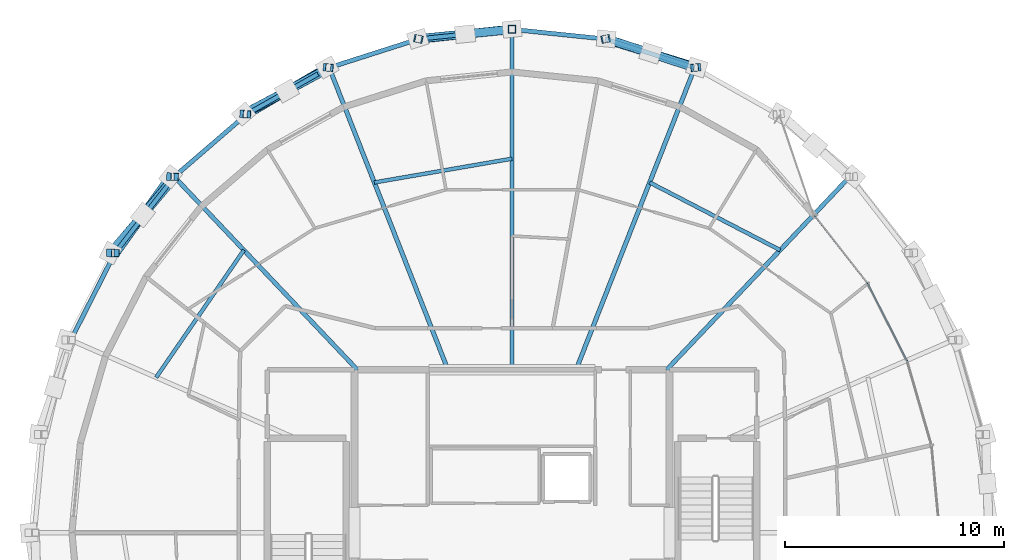
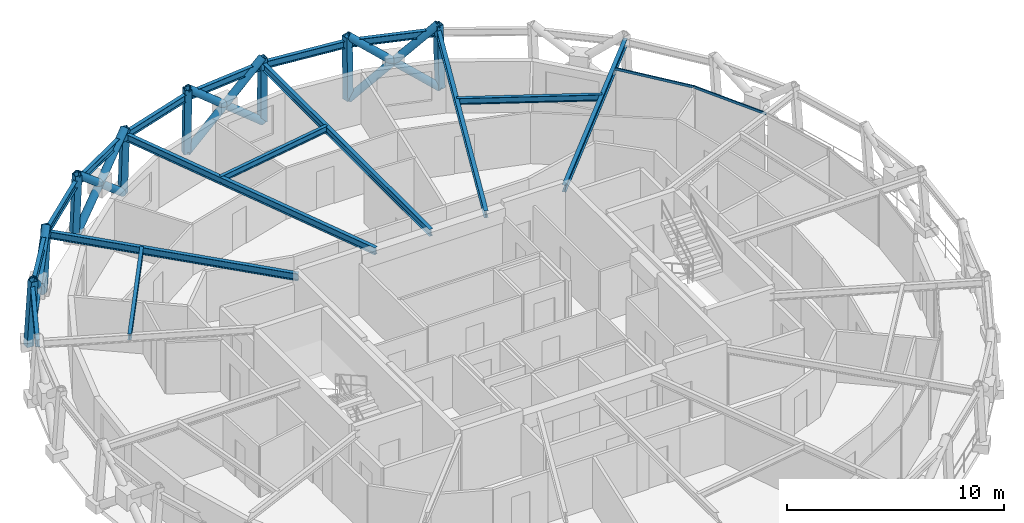
# One storey, part 7 of 15: 22 members, 16 beams, 1 element without a shape of its own.
"""IFC4 building model written with IfcOpenShell, lengths in metres."""

import ifcopenshell
import ifcopenshell.guid

model = None  # the IFC model being written
_history = None  # IfcOwnerHistory: only IFC2X3 demands one
_inside = {}  # id of a spatial element -> (the spatial element, [elements in it])
_under = {}  # id of a project, library or spatial element -> (it, [spatial elements below it])
_declared = {}  # id of a project -> (the project, [libraries it declares])
_typed = {}  # id of a type object -> (the type object, [elements of that type])
_made_of = {}  # id of a material, layer set ... -> (it, [elements and type objects made of it])


def new_model(schema):
    """Start an empty IFC model of exactly this schema.

    Asked for "IFC4X3", IfcOpenShell would pick the latest addendum, in which some entities
    have other attributes; the version numbers below select the first issue.
    IFC2X3 requires an IfcOwnerHistory on every rooted entity: one is made here for all.
    """
    global model, _history
    if schema == "IFC4X3":
        model = ifcopenshell.file(schema_version=(4, 3, 0, 0))
    else:
        model = ifcopenshell.file(schema=schema)
    _inside.clear()
    _under.clear()
    _declared.clear()
    _typed.clear()
    _made_of.clear()
    _history = None
    if model.schema == "IFC2X3":
        org = make("IfcOrganization", Name="unknown")
        user = make(
            "IfcPersonAndOrganization",
            ThePerson=make("IfcPerson", FamilyName="unknown"),
            TheOrganization=org,
        )
        app = make(
            "IfcApplication",
            ApplicationDeveloper=org,
            Version="unknown",
            ApplicationFullName="unknown",
            ApplicationIdentifier="unknown",
        )
        _history = make(
            "IfcOwnerHistory",
            OwningUser=user,
            OwningApplication=app,
            ChangeAction="ADDED",
            CreationDate=0,
        )
    return model


def make(cls, **values):
    """One entity of the class cls with the attributes given. An attribute that is None is left unset."""
    return model.create_entity(
        cls, **{name: value for name, value in values.items() if value is not None}
    )


def rooted(cls, **values):
    """An entity with a GlobalId (a new one), such as an element, a storey or a relation."""
    return make(cls, GlobalId=ifcopenshell.guid.new(), OwnerHistory=_history, **values)


def si_unit(unit_type, name, prefix=None):
    """IfcSIUnit, for example si_unit("LENGTHUNIT", "METRE", prefix="MILLI")."""
    return make("IfcSIUnit", UnitType=unit_type, Prefix=prefix, Name=name)


def assignment(units):
    """IfcUnitAssignment: the units of a project."""
    return None if units is None else make("IfcUnitAssignment", Units=units)


def point(xyz):
    """IfcCartesianPoint."""
    return None if xyz is None else make("IfcCartesianPoint", Coordinates=xyz)


def direction(xyz):
    """IfcDirection."""
    return None if xyz is None else make("IfcDirection", DirectionRatios=xyz)


def frame(location, z_axis=None, x_axis=None):
    """IfcAxis2Placement3D, a coordinate frame: its origin and axes. An axis left out is left unset."""
    return make(
        "IfcAxis2Placement3D",
        Location=point(location),
        Axis=direction(z_axis),
        RefDirection=direction(x_axis),
    )


def frame_2d(location, x_axis=None):
    """IfcAxis2Placement2D, a coordinate frame in the plane: its origin and x axis."""
    return make(
        "IfcAxis2Placement2D", Location=point(location), RefDirection=direction(x_axis)
    )


def origin():
    """The frame at (0, 0, 0) with its axes left unset."""
    return frame((0.0, 0.0, 0.0))


def origin_2d():
    """The frame at (0, 0) in the plane with its x axis left unset."""
    return frame_2d((0.0, 0.0))


def place(relative_to, where):
    """IfcLocalPlacement: puts the frame where relative to a parent placement (None: the world)."""
    return make(
        "IfcLocalPlacement", PlacementRelTo=relative_to, RelativePlacement=where
    )


def context(
    kind, dimensions, precision=None, world=None, true_north=None, identifier=None
):
    """IfcGeometricRepresentationContext, for example the 3D "Model" context."""
    return make(
        "IfcGeometricRepresentationContext",
        ContextIdentifier=identifier,
        ContextType=kind,
        CoordinateSpaceDimension=dimensions,
        Precision=precision,
        WorldCoordinateSystem=world,
        TrueNorth=true_north,
    )


def subcontext(parent, identifier, kind, view, scale=None):
    """IfcGeometricRepresentationSubContext, for example "Body" below "Model"."""
    return make(
        "IfcGeometricRepresentationSubContext",
        ContextIdentifier=identifier,
        ContextType=kind,
        ParentContext=parent,
        TargetScale=scale,
        TargetView=view,
    )


def project(units=None, contexts=None):
    """IfcProject with its units and contexts."""
    return rooted(
        "IfcProject",
        Name="project",
        RepresentationContexts=contexts,
        UnitsInContext=assignment(units),
    )


def spatial(cls, under=None, at=None, **own):
    """A site, building, storey or space (cls), placed at a placement, below another one or the project."""
    s = rooted(cls, ObjectPlacement=at, **own)
    if under is not None:
        _under.setdefault(under.id(), (under, []))[1].append(s)
    return s


def profile(cls, at=None, kind="AREA", **sizes):
    """A parametric profile (cls). Its sizes go by their IFC names, for example OverallWidth=200.0."""
    return make(cls, ProfileType=kind, Position=at, **sizes)


def hollow_rectangle(**sizes):
    """IfcRectangleHollowProfileDef."""
    return profile("IfcRectangleHollowProfileDef", **sizes)


def hollow_circle(**sizes):
    """IfcCircleHollowProfileDef."""
    return profile("IfcCircleHollowProfileDef", **sizes)


def i_section(**sizes):
    """IfcIShapeProfileDef."""
    return profile("IfcIShapeProfileDef", **sizes)


def extrude(swept, where, along, depth):
    """IfcExtrudedAreaSolid: the profile swept, set in the frame where, extruded along a direction by depth."""
    return make(
        "IfcExtrudedAreaSolid",
        SweptArea=swept,
        Position=where,
        ExtrudedDirection=direction(along),
        Depth=depth,
    )


def shape(context_of_items, identifier, shape_type, items):
    """IfcShapeRepresentation: the items that make up one representation, for example the "Body"."""
    return make(
        "IfcShapeRepresentation",
        ContextOfItems=context_of_items,
        RepresentationIdentifier=identifier,
        RepresentationType=shape_type,
        Items=items,
    )


def material(Name=None, Category=None):
    """IfcMaterial."""
    return make("IfcMaterial", Name=Name, Category=Category)


def layer(
    of_material, thickness, ventilated=None, Name=None, Category=None, Priority=None
):
    """IfcMaterialLayer: one layer of a wall or slab, of a material (None: an air gap)."""
    return make(
        "IfcMaterialLayer",
        Material=of_material,
        LayerThickness=thickness,
        IsVentilated=ventilated,
        Name=Name,
        Category=Category,
        Priority=Priority,
    )


def layer_set(layers, Name=None):
    """IfcMaterialLayerSet."""
    return make("IfcMaterialLayerSet", MaterialLayers=layers, LayerSetName=Name)


def material_profile(
    of_material, cross_section, Name=None, Category=None, Priority=None
):
    """IfcMaterialProfile: a cross section and its material."""
    return make(
        "IfcMaterialProfile",
        Name=Name,
        Material=of_material,
        Profile=cross_section,
        Priority=Priority,
        Category=Category,
    )


def profile_set(profiles, Name=None, composite=None):
    """IfcMaterialProfileSet."""
    return make(
        "IfcMaterialProfileSet",
        Name=Name,
        MaterialProfiles=profiles,
        CompositeProfile=composite,
    )


def made_of(thing, what):
    """Note that an element or type object is made of a material, layer set ...; save() writes the relation."""
    if what is not None:
        _made_of.setdefault(what.id(), (what, []))[1].append(thing)
    return thing


def type_object(cls, material=None, **own):
    """A type object (cls), such as IfcWallType, which elements share."""
    return made_of(rooted(cls, **own), material)


def element(
    cls,
    number,
    at=None,
    inside=None,
    cuts=None,
    type_object=None,
    material=None,
    context=None,
    identifier="Body",
    shape_type=None,
    held_by="IfcProductDefinitionShape",
    body=None,
    shapes=None,
    **own,
):
    """One element of the class cls, such as IfcWall. Its Tag is "e" and its number.

    at: its placement. inside: the storey or other place that contains it. cuts: it is an
    opening in that element (IfcRelVoidsElement). A single representation is given by context,
    identifier, shape_type and body (its items); several are given by shapes. held_by: the class
    of the entity that holds the representations. save() writes the other relations.
    """
    e = rooted(cls, Tag="e%d" % number, ObjectPlacement=at, **own)
    if body is not None:
        shapes = [shape(context, identifier, shape_type, body)]
    if shapes is not None:
        e.Representation = make(held_by, Representations=shapes)
    if inside is not None:
        _inside.setdefault(inside.id(), (inside, []))[1].append(e)
    if cuts is not None:
        rooted(
            "IfcRelVoidsElement", RelatingBuildingElement=cuts, RelatedOpeningElement=e
        )
    if type_object is not None:
        _typed.setdefault(type_object.id(), (type_object, []))[1].append(e)
    return made_of(e, material)


def aggregate(whole, parts):
    """IfcRelAggregates: a whole, such as a stair, and the parts it consists of."""
    return rooted("IfcRelAggregates", RelatingObject=whole, RelatedObjects=parts)


def save(model, path):
    """Write the relations noted so far, then the file.

    IfcRelAggregates (storeys below a building ...), IfcRelContainedInSpatialStructure (elements
    in a storey), IfcRelDefinesByType, IfcRelAssociatesMaterial and IfcRelDeclares: one each for
    every whole, place, type object, material and project.
    """
    for whole, parts in _under.values():
        aggregate(whole, parts)
    for where, things in _inside.values():
        rooted(
            "IfcRelContainedInSpatialStructure",
            RelatedElements=things,
            RelatingStructure=where,
        )
    for kind, things in _typed.values():
        rooted("IfcRelDefinesByType", RelatedObjects=things, RelatingType=kind)
    for what, things in _made_of.values():
        rooted("IfcRelAssociatesMaterial", RelatedObjects=things, RelatingMaterial=what)
    for by, libraries in _declared.values():
        rooted("IfcRelDeclares", RelatingContext=by, RelatedDefinitions=libraries)
    model.write(path)


model = new_model("IFC4")

# Units and contexts
model_context = context("Model", 3, precision=1e-05, world=origin(), true_north=direction((0.0, 1.0)))
body_context = subcontext(model_context, "Body", "Model", "MODEL_VIEW")
ifc_project = project(units=[si_unit("LENGTHUNIT", "METRE"), si_unit("AREAUNIT", "SQUARE_METRE"), si_unit("VOLUMEUNIT", "CUBIC_METRE"), si_unit("PLANEANGLEUNIT", "RADIAN"), si_unit("MASSUNIT", "GRAM", prefix="KILO")], contexts=[model_context])

# Site, building, storey
site_placement = place(None, origin())
site = spatial("IfcSite", under=ifc_project, at=site_placement, CompositionType="ELEMENT")
building_placement = place(site_placement, origin())
building = spatial("IfcBuilding", under=site, at=building_placement, Name="Veldorina Hangang Commons", CompositionType="ELEMENT")
storey_placement = place(building_placement, frame((0.0, 0.0, 261.60009765625)))
storey = spatial("IfcBuildingStorey", under=building, at=storey_placement, Name="L68", CompositionType="ELEMENT", Elevation=261.60009765625)

# Beams
ifc_material_1 = material(Name="Steel SM355-TMC", Category="steel")
ifc_material_profile_1 = material_profile(ifc_material_1, i_section(OverallWidth=0.199951171875, OverallDepth=0.39990234375, WebThickness=0.008056640625, FlangeThickness=0.012939453125, FilletRadius=0.012939453125, at=origin_2d()), Name="H-400x200x8x13")
ifc_profile_set_1 = profile_set([ifc_material_profile_1], Name="Steel SM355-TMC")
beam_type_1 = type_object("IfcBeamType", Name="BM-FG400", PredefinedType="BEAM", material=ifc_profile_set_1)
beam_1_placement = place(storey_placement, frame((39.068115234375, 31.449951171875, 3.159912109375), z_axis=(0.688248509475, 0.72547500936, 0.0), x_axis=(-0.72547500936, 0.688248509475, 0.0)))
element("IfcBeam", 1, at=beam_1_placement, inside=storey, type_object=beam_type_1, Name="L68 radial floor girder 03", PredefinedType="BEAM", context=body_context, shape_type="SweptSolid", body=[
    extrude(i_section(OverallWidth=0.199951171875, OverallDepth=0.39990234375, WebThickness=0.008056640625, FlangeThickness=0.012939453125, FilletRadius=0.012939453125, at=origin_2d()), origin(), (0.0, 0.0, 1.0), 12.158935546875),
])
beam_2_placement = place(storey_placement, frame((34.927490234375, 31.449951171875, 3.159912109375), z_axis=(0.365740953983, 0.930716688676, 0.0), x_axis=(-0.930716688676, 0.365740953983, 0.0)))
element("IfcBeam", 2, at=beam_2_placement, inside=storey, type_object=beam_type_1, Name="L68 radial floor girder 04", PredefinedType="BEAM", context=body_context, shape_type="SweptSolid", body=[
    extrude(i_section(OverallWidth=0.199951171875, OverallDepth=0.39990234375, WebThickness=0.008056640625, FlangeThickness=0.012939453125, FilletRadius=0.012939453125, at=origin_2d()), origin(), (0.0, 0.0, 1.0), 14.837158203125),
])
beam_3_placement = place(storey_placement, frame((32.0, 31.449951171875, 3.159912109375), z_axis=(0.0, 1.0, 0.0), x_axis=(-1.0, 0.0, 0.0)))
element("IfcBeam", 3, at=beam_3_placement, inside=storey, type_object=beam_type_1, Name="L68 radial floor girder 05", PredefinedType="BEAM", context=body_context, shape_type="SweptSolid", body=[
    extrude(i_section(OverallWidth=0.199951171875, OverallDepth=0.39990234375, WebThickness=0.008056640625, FlangeThickness=0.012939453125, FilletRadius=0.012939453125, at=origin_2d()), origin(), (0.0, 0.0, 1.0), 15.560546875),
])
beam_4_placement = place(storey_placement, frame((29.072509765625, 31.449951171875, 3.159912109375), z_axis=(-0.365740953983, 0.930716688676, 0.0), x_axis=(-0.930716688676, -0.365740953983, 0.0)))
element("IfcBeam", 4, at=beam_4_placement, inside=storey, type_object=beam_type_1, Name="L68 radial floor girder 06", PredefinedType="BEAM", context=body_context, shape_type="SweptSolid", body=[
    extrude(i_section(OverallWidth=0.199951171875, OverallDepth=0.39990234375, WebThickness=0.008056640625, FlangeThickness=0.012939453125, FilletRadius=0.012939453125, at=origin_2d()), origin(), (0.0, 0.0, 1.0), 14.837158203125),
])
beam_5_placement = place(storey_placement, frame((24.931884765625, 31.449951171875, 3.159912109375), z_axis=(-0.688248509475, 0.72547500936, 0.0), x_axis=(-0.72547500936, -0.688248509475, 0.0)))
element("IfcBeam", 5, at=beam_5_placement, inside=storey, type_object=beam_type_1, Name="L68 radial floor girder 07", PredefinedType="BEAM", context=body_context, shape_type="SweptSolid", body=[
    extrude(i_section(OverallWidth=0.199951171875, OverallDepth=0.39990234375, WebThickness=0.008056640625, FlangeThickness=0.012939453125, FilletRadius=0.012939453125, at=origin_2d()), origin(), (0.0, 0.0, 1.0), 12.158935546875),
])
ifc_material_profile_2 = material_profile(ifc_material_1, i_section(OverallWidth=0.175048828125, OverallDepth=0.35009765625, WebThickness=0.007080078125, FlangeThickness=0.010986328125, FilletRadius=0.012939453125, at=origin_2d()), Name="H-350x175x7x11")
ifc_profile_set_2 = profile_set([ifc_material_profile_2], Name="Steel SM355-TMC")
beam_type_2 = type_object("IfcBeamType", Name="BM-JST350", PredefinedType="JOIST", material=ifc_profile_set_2)
beam_6_placement = place(storey_placement, frame((44.256591796875, 36.9189453125, 3.184814453125), z_axis=(-0.88775343151, 0.460319285759, 0.0), x_axis=(-0.460319285759, -0.88775343151, 0.0)))
element("IfcBeam", 6, at=beam_6_placement, inside=storey, type_object=beam_type_2, Name="L68 secondary floor joist 03", PredefinedType="JOIST", context=body_context, shape_type="SweptSolid", body=[
    extrude(i_section(OverallWidth=0.175048828125, OverallDepth=0.35009765625, WebThickness=0.007080078125, FlangeThickness=0.010986328125, FilletRadius=0.012939453125, at=origin_2d()), origin(), (0.0, 0.0, 1.0), 6.71875),
])
beam_7_placement = place(storey_placement, frame((32.0, 41.09765625, 3.184814453125), z_axis=(-0.985430960272, -0.170075931681, 0.0), x_axis=(0.170075931681, -0.985430960272, 0.0)))
element("IfcBeam", 7, at=beam_7_placement, inside=storey, type_object=beam_type_2, Name="L68 secondary floor joist 05", PredefinedType="JOIST", context=body_context, shape_type="SweptSolid", body=[
    extrude(i_section(OverallWidth=0.175048828125, OverallDepth=0.35009765625, WebThickness=0.007080078125, FlangeThickness=0.010986328125, FilletRadius=0.012939453125, at=origin_2d()), origin(), (0.0, 0.0, 1.0), 6.385009765625),
])
beam_8_placement = place(storey_placement, frame((19.743408203125, 36.9189453125, 3.184814453125), z_axis=(-0.567316173242, -0.823500066532, 0.0), x_axis=(0.823500066532, -0.567316173242, 0.0)))
element("IfcBeam", 8, at=beam_8_placement, inside=storey, type_object=beam_type_2, Name="L68 secondary floor joist 07", PredefinedType="JOIST", context=body_context, shape_type="SweptSolid", body=[
    extrude(i_section(OverallWidth=0.175048828125, OverallDepth=0.35009765625, WebThickness=0.007080078125, FlangeThickness=0.010986328125, FilletRadius=0.012939453125, at=origin_2d()), origin(), (0.0, 0.0, 1.0), 7.064453125),
])
ifc_material_profile_3 = material_profile(ifc_material_1, i_section(OverallWidth=0.199951171875, OverallDepth=0.39990234375, WebThickness=0.008056640625, FlangeThickness=0.012939453125, FilletRadius=0.012939453125, at=origin_2d()), Name="H-400x200x8x13")
ifc_profile_set_3 = profile_set([ifc_material_profile_3], Name="Steel SM355-TMC")
beam_type_3 = type_object("IfcBeamType", Name="BM-RB400", PredefinedType="BEAM", material=ifc_profile_set_3)
beam_9_placement = place(storey_placement, frame((40.35400390625, 45.259033203125, 3.159912109375), z_axis=(-0.952484785207, 0.304586168347, 0.0), x_axis=(-0.304586168347, -0.952484785207, 0.0)))
element("IfcBeam", 9, at=beam_9_placement, inside=storey, type_object=beam_type_3, Name="L68 perimeter hoop ring beam 06", PredefinedType="BEAM", context=body_context, shape_type="SweptSolid", body=[
    extrude(i_section(OverallWidth=0.199951171875, OverallDepth=0.39990234375, WebThickness=0.008056640625, FlangeThickness=0.012939453125, FilletRadius=0.012939453125, at=origin_2d()), origin(), (0.0, 0.0, 1.0), 4.299560546875),
])
for number, where, z_axis, x_axis, name in (
    (10, (36.2587890625, 46.568603515625, 3.159912109375), (-0.994659949202, 0.103206518462, 0.0), (-0.103206518462, -0.994659949202, 0.0), "L68 perimeter hoop ring beam 07"),
    (11, (32.0, 47.010498046875, 3.159912109375), (-0.994659949202, -0.103206518462, 0.0), (0.103206518462, -0.994659949202, 0.0), "L68 perimeter hoop ring beam 08"),
):
    element("IfcBeam", number, at=place(storey_placement, frame(where, z_axis=z_axis, x_axis=x_axis)), inside=storey, type_object=beam_type_3, Name=name, PredefinedType="BEAM", context=body_context, shape_type="SweptSolid", body=[
        extrude(i_section(OverallWidth=0.199951171875, OverallDepth=0.39990234375, WebThickness=0.008056640625, FlangeThickness=0.012939453125, FilletRadius=0.012939453125, at=origin_2d()), origin(), (0.0, 0.0, 1.0), 4.28173828125),
    ])
beam_10_placement = place(storey_placement, frame((27.7412109375, 46.568603515625, 3.159912109375), z_axis=(-0.952484785207, -0.304586168347, 0.0), x_axis=(0.304586168347, -0.952484785207, 0.0)))
element("IfcBeam", 12, at=beam_10_placement, inside=storey, type_object=beam_type_3, Name="L68 perimeter hoop ring beam 09", PredefinedType="BEAM", context=body_context, shape_type="SweptSolid", body=[
    extrude(i_section(OverallWidth=0.199951171875, OverallDepth=0.39990234375, WebThickness=0.008056640625, FlangeThickness=0.012939453125, FilletRadius=0.012939453125, at=origin_2d()), origin(), (0.0, 0.0, 1.0), 4.299560546875),
])
beam_11_placement = place(storey_placement, frame((23.64599609375, 45.259033203125, 3.159912109375), z_axis=(-0.871244233372, -0.490849758905, 0.0), x_axis=(0.490849758905, -0.871244233372, 0.0)))
element("IfcBeam", 13, at=beam_11_placement, inside=storey, type_object=beam_type_3, Name="L68 perimeter hoop ring beam 10", PredefinedType="BEAM", context=body_context, shape_type="SweptSolid", body=[
    extrude(i_section(OverallWidth=0.199951171875, OverallDepth=0.39990234375, WebThickness=0.008056640625, FlangeThickness=0.012939453125, FilletRadius=0.012939453125, at=origin_2d()), origin(), (0.0, 0.0, 1.0), 4.332275390625),
])
beam_12_placement = place(storey_placement, frame((19.87158203125, 43.132568359375, 3.159912109375), z_axis=(-0.756305697563, -0.654218382372, 0.0), x_axis=(0.654218382372, -0.756305697563, 0.0)))
element("IfcBeam", 14, at=beam_12_placement, inside=storey, type_object=beam_type_3, Name="L68 perimeter hoop ring beam 11", PredefinedType="BEAM", context=body_context, shape_type="SweptSolid", body=[
    extrude(i_section(OverallWidth=0.199951171875, OverallDepth=0.39990234375, WebThickness=0.008056640625, FlangeThickness=0.012939453125, FilletRadius=0.012939453125, at=origin_2d()), origin(), (0.0, 0.0, 1.0), 4.3740234375),
])
beam_13_placement = place(storey_placement, frame((16.5634765625, 40.27099609375, 3.159912109375), z_axis=(-0.614319180396, -0.78905763072, 0.0), x_axis=(0.78905763072, -0.614319180396, 0.0)))
element("IfcBeam", 15, at=beam_13_placement, inside=storey, type_object=beam_type_3, Name="L68 perimeter hoop ring beam 12", PredefinedType="BEAM", context=body_context, shape_type="SweptSolid", body=[
    extrude(i_section(OverallWidth=0.199951171875, OverallDepth=0.39990234375, WebThickness=0.008056640625, FlangeThickness=0.012939453125, FilletRadius=0.012939453125, at=origin_2d()), origin(), (0.0, 0.0, 1.0), 4.419189453125),
])
beam_14_placement = place(storey_placement, frame((13.8486328125, 36.783935546875, 3.159912109375), z_axis=(-0.452285910788, -0.891873003797, 0.0), x_axis=(0.891873003797, -0.452285910788, 0.0)))
element("IfcBeam", 16, at=beam_14_placement, inside=storey, type_object=beam_type_3, Name="L68 perimeter hoop ring beam 13", PredefinedType="BEAM", context=body_context, shape_type="SweptSolid", body=[
    extrude(i_section(OverallWidth=0.199951171875, OverallDepth=0.39990234375, WebThickness=0.008056640625, FlangeThickness=0.012939453125, FilletRadius=0.012939453125, at=origin_2d()), origin(), (0.0, 0.0, 1.0), 4.460205078125),
])

# Curtain wall, members
ifc_material_2 = material(Name="Glass Low-E Selective", Category="glass")
ifc_layer = layer(ifc_material_2, 0.179931640625)
ifc_layer_set = layer_set([ifc_layer], Name="Glass Low-E Selective")
curtain_wall_type = type_object("IfcCurtainWallType", Name="CW-SYS-Z3", PredefinedType="NOTDEFINED", material=ifc_layer_set)
curtain_wall_placement = place(storey_placement, origin())
curtain_wall = element("IfcCurtainWall", 17, at=curtain_wall_placement, inside=storey, type_object=curtain_wall_type, Name="L68 unitised curtain wall CW-L68-R2", PredefinedType="NOTDEFINED")
ifc_material_3 = material(Name="Aluminium Anodized AA6063-T6", Category="aluminium")
ifc_material_profile_4 = material_profile(ifc_material_3, hollow_rectangle(XDim=0.06005859375, YDim=0.139892578125, WallThickness=0.00341796875, at=origin_2d()), Name="ALU-RHS-140x60x3.5")
ifc_profile_set_4 = profile_set([ifc_material_profile_4], Name="Aluminium Anodized AA6063-T6")
member_type_1 = type_object("IfcMemberType", Name="CW-TRN-140", PredefinedType="USERDEFINED", material=ifc_profile_set_4)
member_1_placement = place(storey_placement, frame((50.066650390625, 31.845458984375, 3.27978515625), z_axis=(-0.454219917696, 0.890889592693, 0.0), x_axis=(-0.890889592693, -0.454219917696, 0.0)))
member_1 = element("IfcMember", 18, at=member_1_placement, type_object=member_type_1, Name="CW-L68-R2 facet 4 transom 1", ObjectType="TRANSOM", PredefinedType="USERDEFINED", context=body_context, shape_type="SweptSolid", body=[
    extrude(hollow_rectangle(XDim=0.06005859375, YDim=0.139892578125, WallThickness=0.00341796875, at=origin_2d()), origin(), (0.0, 0.0, 1.0), 3.978515625),
])
member_2_placement = place(storey_placement, frame((48.259521484375, 35.389892578125, 3.27978515625), z_axis=(-0.616435057737, 0.787405752832, 0.0), x_axis=(-0.787405752832, -0.616435057737, 0.0)))
member_2 = element("IfcMember", 19, at=member_2_placement, type_object=member_type_1, Name="CW-L68-R2 facet 5 transom 1", ObjectType="TRANSOM", PredefinedType="USERDEFINED", context=body_context, shape_type="SweptSolid", body=[
    extrude(hollow_rectangle(XDim=0.06005859375, YDim=0.139892578125, WallThickness=0.00341796875, at=origin_2d()), origin(), (0.0, 0.0, 1.0), 3.945556640625),
])
aggregate(curtain_wall, [member_1, member_2])

# Members
ifc_material_profile_5 = material_profile(ifc_material_1, hollow_circle(Radius=0.199951171875, WallThickness=0.02001953125, at=origin_2d()), Name="CHS-400x20")
ifc_profile_set_5 = profile_set([ifc_material_profile_5], Name="Steel SM355-TMC")
member_type_2 = type_object("IfcMemberType", Name="DG-CHS400", PredefinedType="BRACE", material=ifc_profile_set_5)
member_3_placement = place(storey_placement, frame((40.44775390625, 45.268798828125, 0.0), z_axis=(-0.738834207743, 0.22859362715, 0.633931358346), x_axis=(-0.295573810822, -0.955319905768, 0.0)))
element("IfcMember", 20, at=member_3_placement, inside=storey, type_object=member_type_2, Name="L68 continuous perimeter diagrid brace 06", PredefinedType="BRACE", context=body_context, shape_type="SweptSolid", body=[
    extrude(hollow_circle(Radius=0.199951171875, WallThickness=0.02001953125, at=origin_2d()), origin(), (0.0, 0.0, 1.0), 5.6787109375),
])
member_4_placement = place(storey_placement, frame((36.306640625, 46.578857421875, 0.0), z_axis=(0.725672342812, -0.234796868612, 0.646738031484), x_axis=(0.307844642917, 0.951436637842, 0.0)))
element("IfcMember", 21, at=member_4_placement, inside=storey, type_object=member_type_2, Name="L68 split perimeter diagrid lower brace 07", PredefinedType="BRACE", context=body_context, shape_type="SweptSolid", body=[
    extrude(hollow_circle(Radius=0.199951171875, WallThickness=0.02001953125, at=origin_2d()), origin(), (0.0, 0.0, 1.0), 2.799072265625),
])
member_5_placement = place(storey_placement, frame((38.337890625, 45.921630859375, 1.810302734375), z_axis=(0.723956834125, -0.239995440441, 0.646752418542), x_axis=(0.314665578208, 0.94920259897, 0.0)))
element("IfcMember", 22, at=member_5_placement, inside=storey, type_object=member_type_2, Name="L68 split perimeter diagrid upper brace 07", PredefinedType="BRACE", context=body_context, shape_type="SweptSolid", body=[
    extrude(hollow_circle(Radius=0.199951171875, WallThickness=0.02001953125, at=origin_2d()), origin(), (0.0, 0.0, 1.0), 2.76708984375),
])
member_6_placement = place(storey_placement, frame((32.0, 47.021240234375, 0.0), z_axis=(-0.760698078423, -0.081280307972, 0.643996851716), x_axis=(0.106244860447, -0.994339996997, 0.0)))
element("IfcMember", 23, at=member_6_placement, inside=storey, type_object=member_type_2, Name="L68 continuous perimeter diagrid brace 08", PredefinedType="BRACE", context=body_context, shape_type="SweptSolid", body=[
    extrude(hollow_circle(Radius=0.199951171875, WallThickness=0.02001953125, at=origin_2d()), origin(), (0.0, 0.0, 1.0), 5.58984375),
])
member_7_placement = place(storey_placement, frame((27.693359375, 46.578857421875, 0.0), z_axis=(0.765116294776, 0.075503196375, 0.639450015877), x_axis=(-0.098204978985, 0.99516620828, 0.0)))
element("IfcMember", 24, at=member_7_placement, inside=storey, type_object=member_type_2, Name="L68 split perimeter diagrid lower brace 09", PredefinedType="BRACE", context=body_context, shape_type="SweptSolid", body=[
    extrude(hollow_circle(Radius=0.199951171875, WallThickness=0.02001953125, at=origin_2d()), origin(), (0.0, 0.0, 1.0), 2.83251953125),
])
member_8_placement = place(storey_placement, frame((29.860595703125, 46.792724609375, 1.811279296875), z_axis=(0.764910633647, 0.077337763484, 0.639476811834), x_axis=(-0.100594067218, 0.994927551956, 0.0)))
element("IfcMember", 25, at=member_8_placement, inside=storey, type_object=member_type_2, Name="L68 split perimeter diagrid upper brace 09", PredefinedType="BRACE", context=body_context, shape_type="SweptSolid", body=[
    extrude(hollow_circle(Radius=0.199951171875, WallThickness=0.02001953125, at=origin_2d()), origin(), (0.0, 0.0, 1.0), 2.796875),
])
member_9_placement = place(storey_placement, frame((23.55224609375, 45.268798828125, 0.0), z_axis=(-0.658335926287, -0.38429997564, 0.647230512942), x_axis=(0.5041359416, -0.863624312063, 0.0)))
element("IfcMember", 26, at=member_9_placement, inside=storey, type_object=member_type_2, Name="L68 continuous perimeter diagrid brace 10", PredefinedType="BRACE", context=body_context, shape_type="SweptSolid", body=[
    extrude(hollow_circle(Radius=0.199951171875, WallThickness=0.02001953125, at=origin_2d()), origin(), (0.0, 0.0, 1.0), 5.56201171875),
])
member_10_placement = place(storey_placement, frame((19.735595703125, 43.141357421875, 0.0), z_axis=(0.686632625633, 0.365915744054, 0.628204827799), x_axis=(-0.47029970238, 0.882506764813, 0.0)))
element("IfcMember", 27, at=member_10_placement, inside=storey, type_object=member_type_2, Name="L68 split perimeter diagrid lower brace 11", PredefinedType="BRACE", context=body_context, shape_type="SweptSolid", body=[
    extrude(hollow_circle(Radius=0.199951171875, WallThickness=0.02001953125, at=origin_2d()), origin(), (0.0, 0.0, 1.0), 2.87890625),
])
member_11_placement = place(storey_placement, frame((21.71240234375, 44.19482421875, 1.80859375), z_axis=(0.682803806634, 0.372788783429, 0.6283370788), x_axis=(-0.479199175936, 0.877706186478, 0.0)))
element("IfcMember", 28, at=member_11_placement, inside=storey, type_object=member_type_2, Name="L68 split perimeter diagrid upper brace 11", PredefinedType="BRACE", context=body_context, shape_type="SweptSolid", body=[
    extrude(hollow_circle(Radius=0.199951171875, WallThickness=0.02001953125, at=origin_2d()), origin(), (0.0, 0.0, 1.0), 2.850830078125),
])
member_12_placement = place(storey_placement, frame((16.390380859375, 40.2783203125, 0.0), z_axis=(-0.447883985067, -0.622817593999, 0.641481239418), x_axis=(0.811870885639, -0.583837019255, 0.0)))
element("IfcMember", 29, at=member_12_placement, inside=storey, type_object=member_type_2, Name="L68 continuous perimeter diagrid brace 12", PredefinedType="BRACE", context=body_context, shape_type="SweptSolid", body=[
    extrude(hollow_circle(Radius=0.199951171875, WallThickness=0.02001953125, at=origin_2d()), origin(), (0.0, 0.0, 1.0), 5.61181640625),
])
member_13_placement = place(storey_placement, frame((13.645263671875, 36.789794921875, 0.0), z_axis=(0.510132933998, 0.596412813861, 0.619722635631), x_axis=(-0.7599349216, 0.649999165333, 0.0)))
element("IfcMember", 30, at=member_13_placement, inside=storey, type_object=member_type_2, Name="L68 split perimeter diagrid lower brace 13", PredefinedType="BRACE", context=body_context, shape_type="SweptSolid", body=[
    extrude(hollow_circle(Radius=0.199951171875, WallThickness=0.02001953125, at=origin_2d()), origin(), (0.0, 0.0, 1.0), 2.91162109375),
])
member_14_placement = place(storey_placement, frame((15.130615234375, 38.5263671875, 1.804443359375), z_axis=(0.50312016961, 0.602091865173, 0.619964096399), x_axis=(-0.767357515188, 0.64121949743, 0.0)))
element("IfcMember", 31, at=member_14_placement, inside=storey, type_object=member_type_2, Name="L68 split perimeter diagrid upper brace 13", PredefinedType="BRACE", context=body_context, shape_type="SweptSolid", body=[
    extrude(hollow_circle(Radius=0.199951171875, WallThickness=0.02001953125, at=origin_2d()), origin(), (0.0, 0.0, 1.0), 2.89599609375),
])
ifc_material_profile_6 = material_profile(ifc_material_1, hollow_rectangle(XDim=0.35009765625, YDim=0.35009765625, WallThickness=0.01611328125, at=origin_2d()), Name="SHS-350x350x16")
ifc_profile_set_6 = profile_set([ifc_material_profile_6], Name="Steel SM355-TMC")
member_type_3 = type_object("IfcMemberType", Name="STR-SHS350", PredefinedType="STRUT", material=ifc_profile_set_6)
member_15_placement = place(storey_placement, frame((40.44775390625, 45.268798828125, 0.0), z_axis=(-0.029624013604, -0.003118317221, 0.9995562485), x_axis=(0.104684784518, -0.994505452921, 0.0)))
element("IfcMember", 32, at=member_15_placement, inside=storey, type_object=member_type_3, Name="L68 perimeter ring node post 06", PredefinedType="STRUT", context=body_context, shape_type="SweptSolid", body=[
    extrude(hollow_rectangle(XDim=0.35009765625, YDim=0.35009765625, WallThickness=0.01611328125, at=origin_2d()), origin(), (0.0, 0.0, 1.0), 3.6015625),
])
member_16_placement = place(storey_placement, frame((36.306640625, 46.578857421875, 0.0), z_axis=(-0.015121957969, -0.003322762065, 0.999880135636), x_axis=(0.214611118288, -0.976699579148, 0.0)))
element("IfcMember", 33, at=member_16_placement, inside=storey, type_object=member_type_3, Name="L68 perimeter ring node post 07", PredefinedType="STRUT", context=body_context, shape_type="SweptSolid", body=[
    extrude(hollow_rectangle(XDim=0.35009765625, YDim=0.35009765625, WallThickness=0.01611328125, at=origin_2d()), origin(), (0.0, 0.0, 1.0), 3.600341796875),
])
member_17_placement = place(storey_placement, frame((32.0, 47.021240234375, 0.0), z_axis=(0.0, -0.003390960497, 0.999994250677), x_axis=(1.0, 0.0, 0.0)))
element("IfcMember", 34, at=member_17_placement, inside=storey, type_object=member_type_3, Name="L68 perimeter ring node post 08", PredefinedType="STRUT", context=body_context, shape_type="SweptSolid", body=[
    extrude(hollow_rectangle(XDim=0.35009765625, YDim=0.35009765625, WallThickness=0.01611328125, at=origin_2d()), origin(), (0.0, 0.0, 1.0), 3.599853515625),
])
member_18_placement = place(storey_placement, frame((27.693359375, 46.578857421875, 0.0), z_axis=(0.015121957969, -0.003322762065, 0.999880135636), x_axis=(0.214611118288, 0.976699579148, 0.0)))
element("IfcMember", 35, at=member_18_placement, inside=storey, type_object=member_type_3, Name="L68 perimeter ring node post 09", PredefinedType="STRUT", context=body_context, shape_type="SweptSolid", body=[
    extrude(hollow_rectangle(XDim=0.35009765625, YDim=0.35009765625, WallThickness=0.01611328125, at=origin_2d()), origin(), (0.0, 0.0, 1.0), 3.600341796875),
])
member_19_placement = place(storey_placement, frame((23.55224609375, 45.268798828125, 0.0), z_axis=(0.029624013604, -0.003118317221, 0.9995562485), x_axis=(0.104684784518, 0.994505452921, 0.0)))
element("IfcMember", 36, at=member_19_placement, inside=storey, type_object=member_type_3, Name="L68 perimeter ring node post 10", PredefinedType="STRUT", context=body_context, shape_type="SweptSolid", body=[
    extrude(hollow_rectangle(XDim=0.35009765625, YDim=0.35009765625, WallThickness=0.01611328125, at=origin_2d()), origin(), (0.0, 0.0, 1.0), 3.6015625),
])
member_20_placement = place(storey_placement, frame((19.735595703125, 43.141357421875, 0.0), z_axis=(0.043025400064, -0.002778017957, 0.999070116441), x_axis=(0.064432762324, 0.997922050633, 0.0)))
element("IfcMember", 37, at=member_20_placement, inside=storey, type_object=member_type_3, Name="L68 perimeter ring node post 11", PredefinedType="STRUT", context=body_context, shape_type="SweptSolid", body=[
    extrude(hollow_rectangle(XDim=0.35009765625, YDim=0.35009765625, WallThickness=0.01611328125, at=origin_2d()), origin(), (0.0, 0.0, 1.0), 3.603271484375),
])
member_21_placement = place(storey_placement, frame((16.390380859375, 40.2783203125, 0.0), z_axis=(0.054716001142, -0.002302405989, 0.998499303027), x_axis=(0.042042003341, 0.999115844112, 0.0)))
element("IfcMember", 38, at=member_21_placement, inside=storey, type_object=member_type_3, Name="L68 perimeter ring node post 12", PredefinedType="STRUT", context=body_context, shape_type="SweptSolid", body=[
    extrude(hollow_rectangle(XDim=0.35009765625, YDim=0.35009765625, WallThickness=0.01611328125, at=origin_2d()), origin(), (0.0, 0.0, 1.0), 3.605224609375),
])
member_22_placement = place(storey_placement, frame((13.645263671875, 36.789794921875, 0.0), z_axis=(0.064227804467, -0.001827345333, 0.997933589946), x_axis=(0.028439493074, 0.999595515813, 0.0)))
element("IfcMember", 39, at=member_22_placement, inside=storey, type_object=member_type_3, Name="L68 perimeter ring node post 13", PredefinedType="STRUT", context=body_context, shape_type="SweptSolid", body=[
    extrude(hollow_rectangle(XDim=0.35009765625, YDim=0.35009765625, WallThickness=0.01611328125, at=origin_2d()), origin(), (0.0, 0.0, 1.0), 3.607421875),
])

save(model, "model.ifc")
